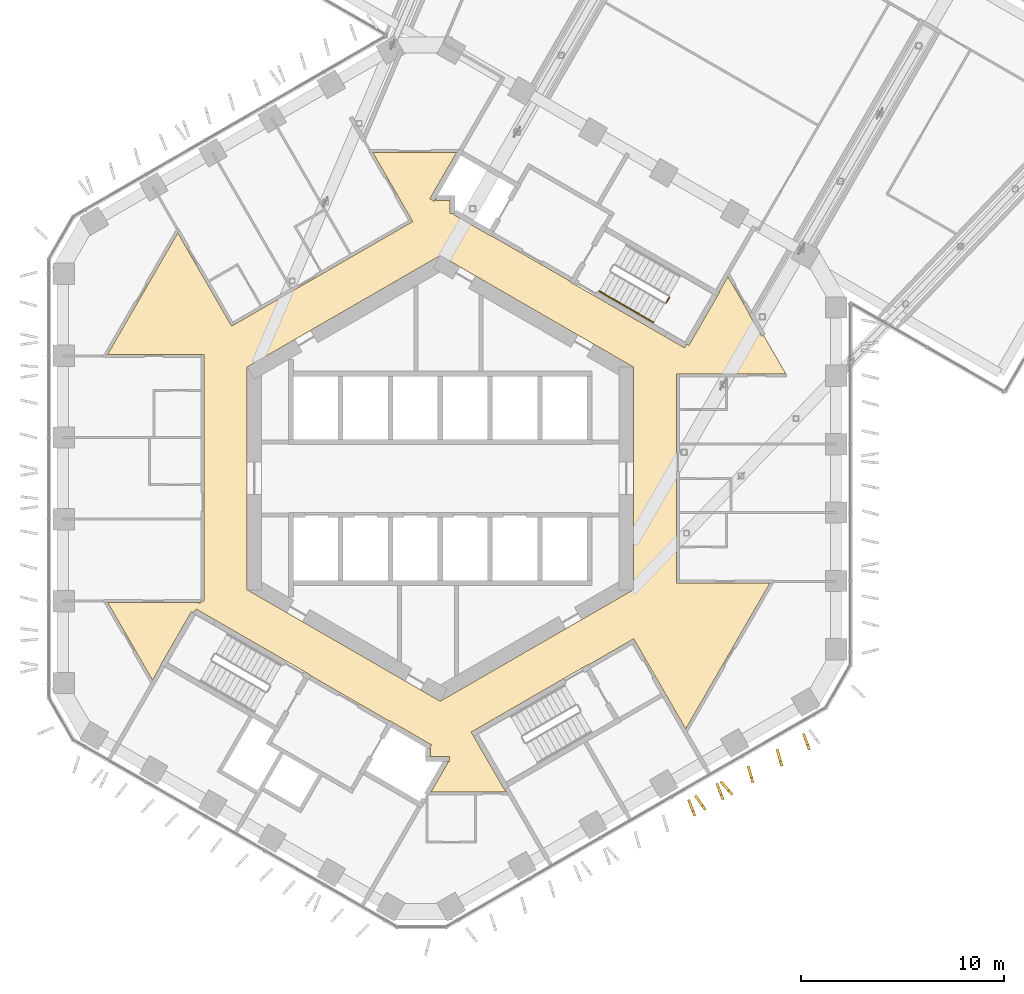
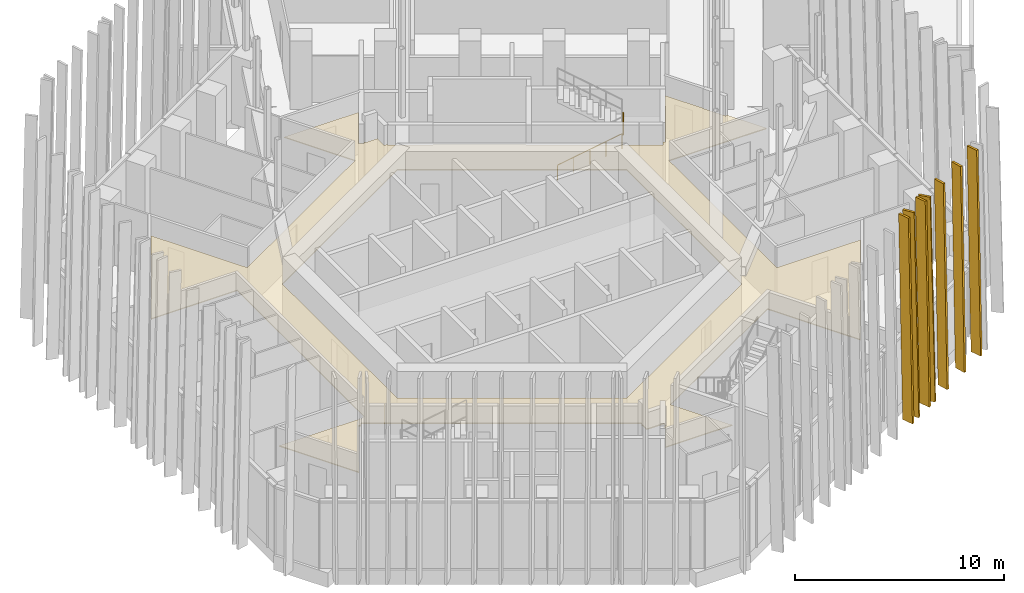
# One storey, part 29 of 31: 7 shading devices, 3 railings, 1 covering.
"""IFC4 building model written with IfcOpenShell, lengths in metres."""

from ifc_helpers import new_model, si_unit, direction, frame, origin, origin_2d, place, context, subcontext, project, spatial, polyline, circle, outline, extrude, material, layer, layer_set, type_object, element, save


model = new_model("IFC4")

# Units and contexts
model_context = context("Model", 3, precision=1e-05, world=origin(), true_north=direction((0.0, 1.0)))
body_context = subcontext(model_context, "Body", "Model", "MODEL_VIEW")
ifc_project = project(units=[si_unit("LENGTHUNIT", "METRE"), si_unit("AREAUNIT", "SQUARE_METRE"), si_unit("VOLUMEUNIT", "CUBIC_METRE"), si_unit("PLANEANGLEUNIT", "RADIAN"), si_unit("MASSUNIT", "GRAM", prefix="KILO")], contexts=[model_context])

# Site, building, storey
site_placement = place(None, origin())
site = spatial("IfcSite", under=ifc_project, at=site_placement, CompositionType="ELEMENT")
building_placement = place(site_placement, origin())
building = spatial("IfcBuilding", under=site, at=building_placement, Name="Ayvan Gate Tower", CompositionType="ELEMENT")
storey_placement = place(building_placement, frame((0.0, 0.0, 135.89990234375)))
storey = spatial("IfcBuildingStorey", under=building, at=storey_placement, Name="L36", CompositionType="ELEMENT", Elevation=135.89990234375)

# Shading devices
ifc_material_1 = material(Name="Bronze anodised aluminium", Category="aluminium")
ifc_layer_1 = layer(ifc_material_1, 0.1201171875)
ifc_layer_set_1 = layer_set([ifc_layer_1], Name="Bronze anodised aluminium")
shading_device_type = type_object("IfcShadingDeviceType", Name="Bronze fin 600 x 120", PredefinedType="USERDEFINED", material=ifc_layer_set_1)
shading_device_1_placement = place(storey_placement, frame((12.2568359375, -16.07373046875, 0.0), z_axis=(-0.93299384386, -0.359892304795, 0.000127549111), x_axis=(0.359892307719, -0.932993851451, -2.4212e-08)))
element("IfcShadingDevice", 1, at=shading_device_1_placement, inside=storey, type_object=shading_device_type, Name="Bronze fin FG13.7.94", ObjectType="FIN", PredefinedType="USERDEFINED", context=body_context, shape_type="SweptSolid", body=[
    extrude(outline(polyline([(0.0, 0.0), (0.5999755130370861, -3.3881317890172014e-21), (0.35018124804238204, 11.880127058241195), (-0.24988212932764337, 11.880127029185713), (0.0, 0.0)])), origin(), (0.0, 0.0, -1.0), 0.1201171875),
])
shading_device_2_placement = place(storey_placement, frame((12.64990234375, -15.85107421875, 0.0), z_axis=(-0.815612438308, -0.578598596794, 0.000119434938), x_axis=(0.57859860092, -0.815612444126, -1.4057e-08)))
element("IfcShadingDevice", 2, at=shading_device_2_placement, inside=storey, type_object=shading_device_type, Name="Bronze fin FG13.7.95", ObjectType="FIN", PredefinedType="USERDEFINED", context=body_context, shape_type="SweptSolid", body=[
    extrude(outline(polyline([(0.0, 0.0), (0.6001147853957894, 6.776263578034403e-21), (0.35032931397670025, 11.880127042782739), (-0.2495863472872224, 11.880127025914227), (0.0, 0.0)])), origin(), (0.0, 0.0, -1.0), 0.1201171875),
])
shading_device_3_placement = place(storey_placement, frame((13.647705078125, -15.27001953125, 0.0), z_axis=(-0.931805983495, -0.362956741169, 0.000114726328), x_axis=(0.362956743558, -0.931805989628, 0.0)))
element("IfcShadingDevice", 3, at=shading_device_3_placement, inside=storey, type_object=shading_device_type, Name="Bronze fin FG13.7.96", ObjectType="FIN", PredefinedType="USERDEFINED", context=body_context, shape_type="SweptSolid", body=[
    extrude(outline(polyline([(0.0, 0.0), (0.5999983231203171, 0.0), (0.35031158282819413, 11.880127031308891), (-0.24968674029212293, 11.880127031308891), (0.0, 0.0)])), origin(), (0.0, 0.0, -1.0), 0.1201171875),
])
shading_device_4_placement = place(storey_placement, frame((13.92431640625, -15.150634765625, 0.0), z_axis=(-0.745475397012, -0.666533133355, 0.000120785359), x_axis=(0.666533138217, -0.74547540245, 0.0)))
element("IfcShadingDevice", 4, at=shading_device_4_placement, inside=storey, type_object=shading_device_type, Name="Bronze fin FG13.7.97", ObjectType="FIN", PredefinedType="USERDEFINED", context=body_context, shape_type="SweptSolid", body=[
    extrude(outline(polyline([(0.0, 0.0), (0.5999736859591293, 0.0), (0.3503943175875665, 11.8801270397852), (-0.24957936837156275, 11.8801270397852), (0.0, 0.0)])), origin(), (0.0, 0.0, -1.0), 0.1201171875),
])
shading_device_5_placement = place(storey_placement, frame((15.165283203125, -14.417236328125, 0.0), z_axis=(-0.961200862062, -0.275849390255, 0.000129103117), x_axis=(0.275849392555, -0.961200870072, 7.246e-09)))
element("IfcShadingDevice", 5, at=shading_device_5_placement, inside=storey, type_object=shading_device_type, Name="Bronze fin FG13.7.98", ObjectType="FIN", PredefinedType="USERDEFINED", context=body_context, shape_type="SweptSolid", body=[
    extrude(outline(polyline([(0.0, 0.0), (0.599946861147996, -3.3881317890172014e-21), (0.35044594906496246, 11.880127049592318), (-0.2497355802642034, 11.880127058288602), (0.0, 0.0)])), origin(), (0.0, 0.0, -1.0), 0.1201171875),
])
shading_device_6_placement = place(storey_placement, frame((16.593017578125, -13.596435546875, 0.0), z_axis=(-0.963942235814, -0.26611153323, 0.000133773661), x_axis=(0.266111535611, -0.963942244439, 0.0)))
element("IfcShadingDevice", 6, at=shading_device_6_placement, inside=storey, type_object=shading_device_type, Name="Bronze fin FG13.7.100", ObjectType="FIN", PredefinedType="USERDEFINED", context=body_context, shape_type="SweptSolid", body=[
    extrude(outline(polyline([(0.0, 0.0), (0.6000039358804674, 0.0), (0.3502088660614749, 11.880127059424769), (-0.24979506981899252, 11.880127059424769), (0.0, 0.0)])), origin(), (0.0, 0.0, -1.0), 0.1201171875),
])
shading_device_7_placement = place(storey_placement, frame((17.90673828125, -12.8154296875, 0.0), z_axis=(-0.939615067592, -0.342233119032, 0.000130348952), x_axis=(0.34223312194, -0.939615075575, 0.0)))
element("IfcShadingDevice", 7, at=shading_device_7_placement, inside=storey, type_object=shading_device_type, Name="Bronze fin FG13.7.102", ObjectType="FIN", PredefinedType="USERDEFINED", context=body_context, shape_type="SweptSolid", body=[
    extrude(outline(polyline([(0.0, 0.0), (0.5999485510384431, 0.0), (0.35029583821476773, 11.880127054051727), (-0.2496527128236754, 11.880127054051727), (0.0, 0.0)])), origin(), (0.0, 0.0, -1.0), 0.1201171875),
])

# Covering
ifc_material_2 = material(Name="Plasterboard suspended ceiling")
ifc_layer_2 = layer(ifc_material_2, 0.050048828125)
ifc_layer_set_2 = layer_set([ifc_layer_2], Name="Plasterboard suspended ceiling")
covering_type = type_object("IfcCoveringType", Name="CT-SUSP-50", PredefinedType="CEILING", material=ifc_layer_set_2)
covering_placement = place(storey_placement, frame((0.0, 0.0, 2.400146484375)))
element("IfcCovering", 8, at=covering_placement, inside=storey, type_object=covering_type, Name="Ceiling Ring Corridor L36", PredefinedType="CEILING", context=body_context, shape_type="SweptSolid", body=[
    extrude(outline(polyline([(-14.16162109375, -9.9287109375), (-16.369384765625, -6.10498046875), (-11.838623046875, -6.10498046875), (-11.870849609375, -6.160888671875), (-11.699951171875, -6.062255859375), (-11.699951171875, -6.030029296875), (-11.625, -6.030029296875), (-11.625, 6.10498046875), (-16.369384765625, 6.10498046875), (-12.918701171875, 12.08154296875), (-10.270263671875, 7.493896484375), (-10.14013671875, 7.56884765625), (-1.35498046875, 12.64111328125), (-1.419921875, 12.753662109375), (-3.310791015625, 16.02880859375), (0.796142578125, 16.02880859375), (-0.511474609375, 13.76416015625), (-0.294921875, 13.63916015625), (-0.215576171875, 13.776611328125), (-0.215576171875, 13.68505859375), (0.47509765625, 13.68505859375), (0.47509765625, 13.03857421875), (0.672119140625, 13.03857421875), (0.645751953125, 12.992919921875), (2.518310546875, 11.91162109375), (2.53076171875, 11.933349609375), (6.384521484375, 9.70849609375), (6.3720703125, 9.686767578125), (6.588623046875, 9.561767578125), (11.03759765625, 6.9931640625), (12.02294921875, 6.42431640625), (12.130126953125, 6.60986328125), (12.23828125, 6.54736328125), (13.631103515625, 8.959716796875), (13.756103515625, 9.176513671875), (13.734619140625, 9.188720703125), (14.16162109375, 9.9287109375), (15.2158203125, 8.10302734375), (15.194091796875, 8.090576171875), (15.821533203125, 7.003662109375), (15.908203125, 7.0537109375), (17.009033203125, 5.147216796875), (11.625, 5.147216796875), (11.625, -5.147216796875), (16.2294921875, -5.147216796875), (12.083251953125, -12.328857421875), (11.123779296875, -10.667236328125), (9.623779296875, -8.069091796875), (9.52392578125, -7.89599609375), (7.2939453125, -9.183349609375), (7.281494140625, -9.16162109375), (1.522216796875, -12.48681640625), (1.647216796875, -12.703369140625), (3.147216796875, -15.30126953125), (3.1689453125, -15.288818359375), (3.249755859375, -15.4287109375), (-0.44970703125, -15.4287109375), (0.386474609375, -13.980712890625), (0.30712890625, -13.93505859375), (0.465576171875, -13.93505859375), (0.465576171875, -13.68505859375), (-0.47509765625, -13.68505859375), (-0.47509765625, -13.28857421875), (-0.52783203125, -13.28857421875), (-0.42919921875, -13.117919921875), (-2.284423828125, -12.046630859375), (-2.518310546875, -11.91162109375), (-2.53076171875, -11.933349609375), (-6.384521484375, -9.70849609375), (-6.3720703125, -9.686767578125), (-11.03759765625, -6.9931640625), (-12.02294921875, -6.42431640625), (-12.130126953125, -6.60986328125), (-12.23828125, -6.54736328125), (-13.756103515625, -9.17626953125), (-13.734619140625, -9.188720703125), (-14.16162109375, -9.9287109375)]), holes=[polyline([(-8.771728515625, -5.9052734375), (0.0, -10.9697265625), (8.38720703125, -6.127197265625), (8.771728515625, -5.9052734375), (9.5, -5.48486328125), (9.5, 5.48486328125), (8.771728515625, 5.9052734375), (0.0, 10.9697265625), (-8.771728515625, 5.9052734375), (-9.5, 5.48486328125), (-9.5, -5.48486328125), (-8.771728515625, -5.9052734375)])]), origin(), (0.0, 0.0, 1.0), 0.050048828125),
])

# Railings
ifc_material_3 = material(Name="Stainless steel balustrade", Category="steel")
railing_type_1 = type_object("IfcRailingType", Name="RL-GUARD-1100", PredefinedType="GUARDRAIL", material=ifc_material_3)
railing_1_placement = place(storey_placement, frame((11.11669921875, 8.644775390625, 2.0)))
element("IfcRailing", 9, at=railing_1_placement, inside=storey, type_object=railing_type_1, Name="L36 STS1 stair guard 2", PredefinedType="GUARDRAIL", context=body_context, shape_type="SweptSolid", body=[
    extrude(circle(Radius=0.02392578125, at=origin_2d()), frame((0.0, 0.0, 1.076171875), z_axis=(0.499949632511, 0.866054481515, 0.0), x_axis=(-0.866054481515, 0.499949632511, 0.0)), (0.0, 0.0, 1.0), 0.31005859375),
    extrude(circle(Radius=0.02099609375, at=origin_2d()), origin(), (0.0, 0.0, 1.0), 1.052001953125),
    extrude(circle(Radius=0.02099609375, at=origin_2d()), frame((0.155029296875, 0.2685546875, 0.0)), (0.0, 0.0, 1.0), 1.052001953125),
])
railing_type_2 = type_object("IfcRailingType", Name="RL-HANDRAIL-900", PredefinedType="HANDRAIL", material=ifc_material_3)
railing_2_placement = place(storey_placement, frame((7.8310546875, 9.2138671875, 0.166748046875)))
element("IfcRailing", 10, at=railing_2_placement, inside=storey, type_object=railing_type_2, Name="L36 STS1 stair handrail 1", PredefinedType="HANDRAIL", context=body_context, shape_type="SweptSolid", body=[
    extrude(circle(Radius=0.02392578125, at=origin_2d()), frame((0.0, 0.0, 0.8759765625), z_axis=(0.7441639146, -0.429634447492, 0.511502013422), x_axis=(0.499992328818, 0.866029832698, 0.0)), (0.0, 0.0, 1.0), 1.792236328125),
    extrude(circle(Radius=0.02099609375, at=origin_2d()), origin(), (0.0, 0.0, 1.0), 0.851806640625),
    extrude(circle(Radius=0.02099609375, at=origin_2d()), frame((0.6669921875, -0.385009765625, 0.45849609375)), (0.0, 0.0, 1.0), 0.851806640625),
    extrude(circle(Radius=0.02099609375, at=origin_2d()), frame((1.333740234375, -0.77001953125, 0.916748046875)), (0.0, 0.0, 1.0), 0.851806640625),
])
railing_3_placement = place(storey_placement, frame((9.164794921875, 8.44384765625, 1.08349609375)))
element("IfcRailing", 11, at=railing_3_placement, inside=storey, type_object=railing_type_2, Name="L36 STS1 stair handrail 2", PredefinedType="HANDRAIL", context=body_context, shape_type="SweptSolid", body=[
    extrude(circle(Radius=0.02392578125, at=origin_2d()), frame((0.0, 0.0, 0.8759765625), z_axis=(0.744215763664, -0.42966438195, 0.511401423539), x_axis=(0.499992328818, 0.866029832698, 0.0)), (0.0, 0.0, 1.0), 1.792236328125),
    extrude(circle(Radius=0.02099609375, at=origin_2d()), origin(), (0.0, 0.0, 1.0), 0.851806640625),
    extrude(circle(Radius=0.02099609375, at=origin_2d()), frame((0.6669921875, -0.385009765625, 0.458251953125)), (0.0, 0.0, 1.0), 0.851806640625),
    extrude(circle(Radius=0.02099609375, at=origin_2d()), frame((1.333740234375, -0.77001953125, 0.91650390625)), (0.0, 0.0, 1.0), 0.851806640625),
])

save(model, "model.ifc")
